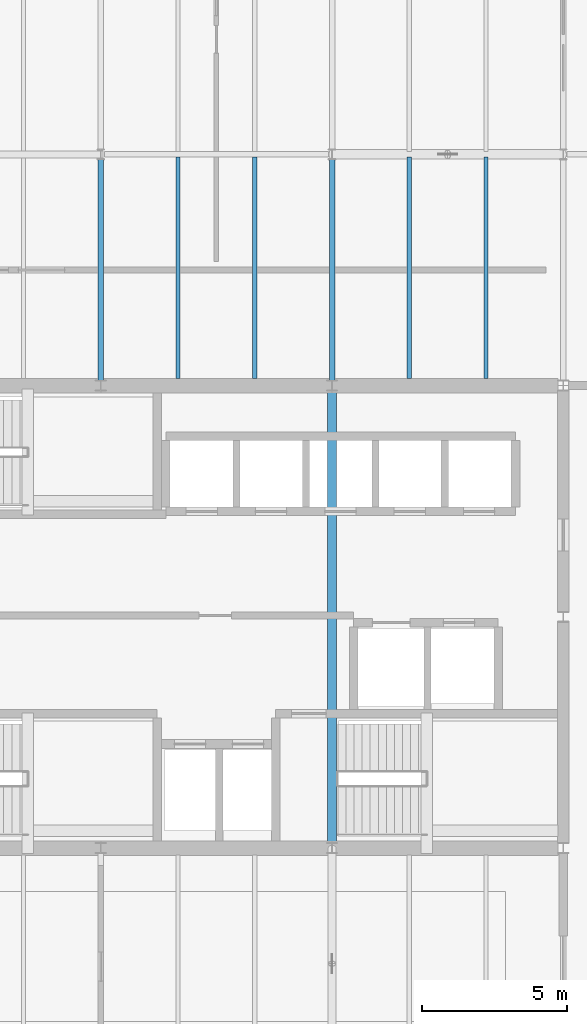
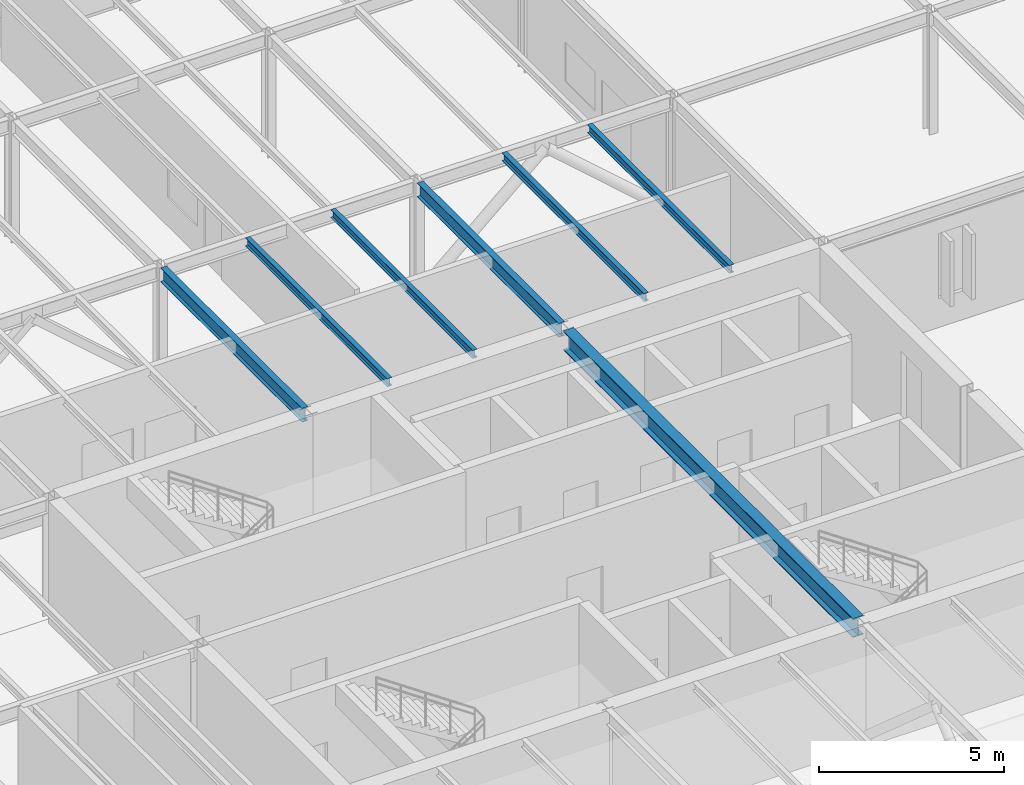
# One storey, part 8 of 21: 7 beams.
"""IFC4 building model written with IfcOpenShell, lengths in metres."""

from ifc_helpers import new_model, si_unit, direction, frame, origin, origin_2d, place, context, subcontext, project, spatial, i_section, extrude, material, material_profile, profile_set, type_object, element, save


model = new_model("IFC4")

# Units and contexts
model_context = context("Model", 3, precision=1e-05, world=origin(), true_north=direction((0.0, 1.0)))
body_context = subcontext(model_context, "Body", "Model", "MODEL_VIEW")
ifc_project = project(units=[si_unit("LENGTHUNIT", "METRE"), si_unit("AREAUNIT", "SQUARE_METRE"), si_unit("VOLUMEUNIT", "CUBIC_METRE"), si_unit("PLANEANGLEUNIT", "RADIAN"), si_unit("MASSUNIT", "GRAM", prefix="KILO")], contexts=[model_context])

# Site, building, storey
site_placement = place(None, origin())
site = spatial("IfcSite", under=ifc_project, at=site_placement, CompositionType="ELEMENT")
building_placement = place(site_placement, origin())
building = spatial("IfcBuilding", under=site, at=building_placement, Name="Varnela Railside Interchange", CompositionType="ELEMENT")
storey_placement = place(building_placement, frame((0.0, 0.0, 23.800048828125)))
storey = spatial("IfcBuildingStorey", under=building, at=storey_placement, Name="L05", CompositionType="ELEMENT", Elevation=23.800048828125)

# Beams
ifc_material = material(Name="Steel AR 350 (350 MPa)", Category="steel")
ifc_material_profile_1 = material_profile(ifc_material, i_section(OverallWidth=0.14794921875, OverallDepth=0.26611328125, WebThickness=0.007568359375, FlangeThickness=0.012939453125, at=origin_2d()), Name="W250x44.8")
ifc_profile_set_1 = profile_set([ifc_material_profile_1], Name="Steel AR 350 (350 MPa)")
beam_type_1 = type_object("IfcBeamType", Name="Composite Floor Joist J-05", PredefinedType="JOIST", material=ifc_profile_set_1)
for number, where, z_axis, x_axis, name in (
    (1, (22.669921875, 70.239990234375, 3.886962890625), (0.0, 1.0, 0.0), (-1.0, 0.0, 0.0), "Composite Floor Joist J-05 (L05) (BM-2564)"),
    (2, (25.330078125, 70.239990234375, 3.886962890625), (0.0, 1.0, 0.0), (-1.0, 0.0, 0.0), "Composite Floor Joist J-05 (L05) (BM-2565)"),
    (3, (30.669921875, 70.239990234375, 3.886962890625), (0.0, 1.0, 0.0), (-1.0, 0.0, 0.0), "Composite Floor Joist J-05 (L05) (BM-2572)"),
    (4, (33.330078125, 70.239990234375, 3.886962890625), (0.0, 1.0, 0.0), (-1.0, 0.0, 0.0), "Composite Floor Joist J-05 (L05) (BM-2573)"),
):
    element("IfcBeam", number, at=place(storey_placement, frame(where, z_axis=z_axis, x_axis=x_axis)), inside=storey, type_object=beam_type_1, Name=name, PredefinedType="JOIST", context=body_context, shape_type="SweptSolid", body=[
        extrude(i_section(OverallWidth=0.14794921875, OverallDepth=0.26611328125, WebThickness=0.007568359375, FlangeThickness=0.012939453125, at=origin_2d()), origin(), (0.0, 0.0, 1.0), 7.6640625),
    ])
ifc_material_profile_2 = material_profile(ifc_material, i_section(OverallWidth=0.18994140625, OverallDepth=0.45703125, WebThickness=0.009033203125, FlangeThickness=0.014404296875, at=origin_2d()), Name="W460x74")
ifc_profile_set_2 = profile_set([ifc_material_profile_2], Name="Steel AR 350 (350 MPa)")
beam_type_2 = type_object("IfcBeamType", Name="Composite Primary Beam B-21", PredefinedType="BEAM", material=ifc_profile_set_2)
for number, where, z_axis, x_axis, name in (
    (5, (20.0, 70.179931640625, 3.79150390625), (0.0, 1.0, 0.0), (-1.0, 0.0, 0.0), "Composite Primary Beam B-21 (L05) (BM-2614)"),
    (6, (28.0, 70.179931640625, 3.79150390625), (0.0, 1.0, 0.0), (-1.0, 0.0, 0.0), "Composite Primary Beam B-21 (L05) (BM-2619)"),
):
    element("IfcBeam", number, at=place(storey_placement, frame(where, z_axis=z_axis, x_axis=x_axis)), inside=storey, type_object=beam_type_2, Name=name, PredefinedType="BEAM", context=body_context, shape_type="SweptSolid", body=[
        extrude(i_section(OverallWidth=0.18994140625, OverallDepth=0.45703125, WebThickness=0.009033203125, FlangeThickness=0.014404296875, at=origin_2d()), origin(), (0.0, 0.0, 1.0), 7.638671875),
    ])
ifc_material_profile_3 = material_profile(ifc_material, i_section(OverallWidth=0.327880859375, OverallDepth=0.6279296875, WebThickness=0.0166015625, FlangeThickness=0.027587890625, at=origin_2d()), Name="W610x217")
ifc_profile_set_3 = profile_set([ifc_material_profile_3], Name="Steel AR 350 (350 MPa)")
beam_type_3 = type_object("IfcBeamType", Name="Transfer Tie Steel Girder B-12", PredefinedType="BEAM", material=ifc_profile_set_3)
beam_placement = place(storey_placement, frame((28.0, 54.179931640625, 3.7060546875), z_axis=(0.0, 1.0, 0.0), x_axis=(-1.0, 0.0, 0.0)))
element("IfcBeam", 7, at=beam_placement, inside=storey, type_object=beam_type_3, Name="Transfer Tie Steel Girder B-12 (L05) (BM-2618)", PredefinedType="BEAM", context=body_context, shape_type="SweptSolid", body=[
    extrude(i_section(OverallWidth=0.327880859375, OverallDepth=0.6279296875, WebThickness=0.0166015625, FlangeThickness=0.027587890625, at=origin_2d()), origin(), (0.0, 0.0, 1.0), 15.64013671875),
])

save(model, "model.ifc")
